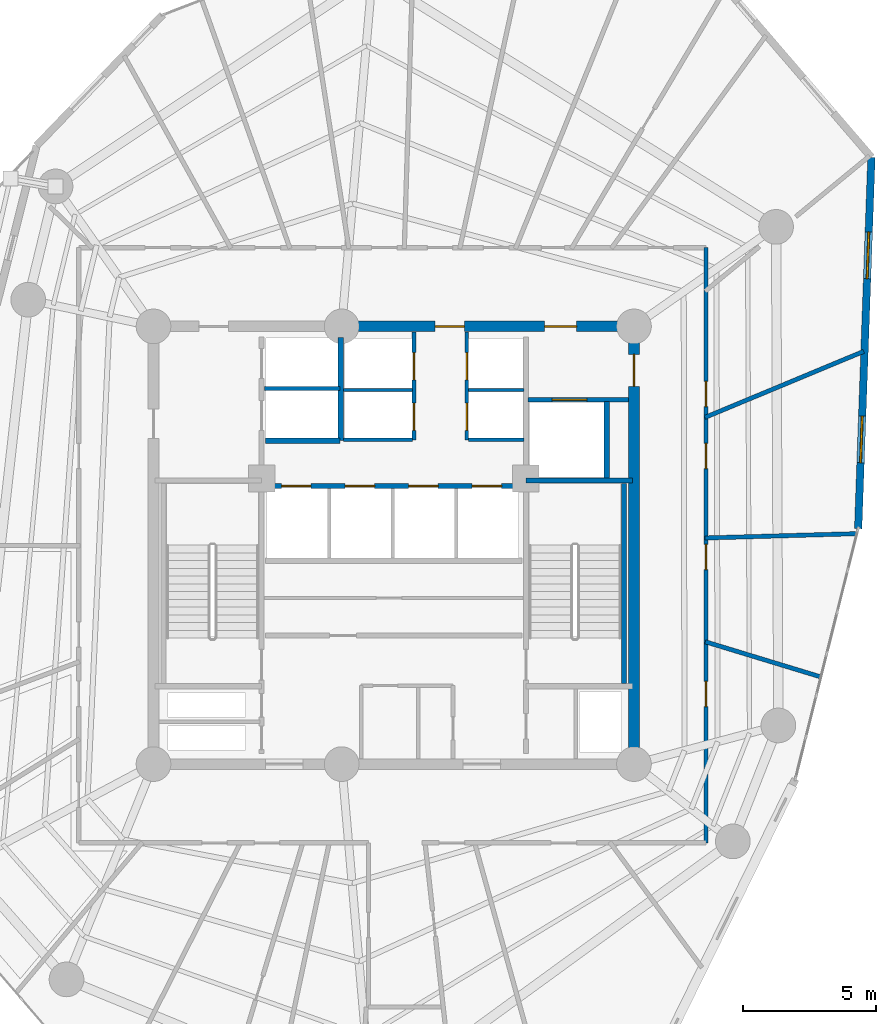
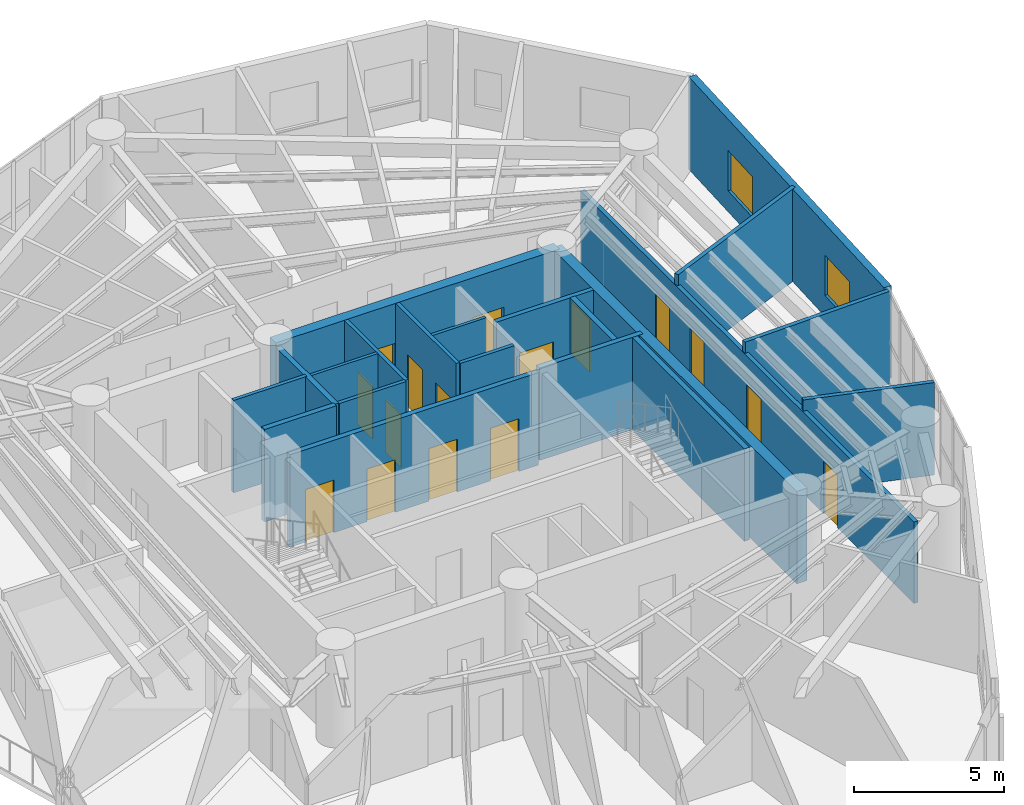
# One storey, part 9 of 14: 21 walls, 16 doors, 2 windows, 18 openings.
"""IFC4 building model written with IfcOpenShell, lengths in metres."""

from ifc_helpers import new_model, si_unit, direction, frame, frame_2d, origin, origin_with_axes, place, context, subcontext, project, spatial, rectangle, extrude, source, transform, mapped, material, layer, layer_set, type_object, element, fill, save


model = new_model("IFC4")

# Units and contexts
model_context = context("Model", 3, precision=1e-05, world=origin(), true_north=direction((0.0, 1.0)))
body_context = subcontext(model_context, "Body", "Model", "MODEL_VIEW")
ifc_project = project(units=[si_unit("LENGTHUNIT", "METRE"), si_unit("AREAUNIT", "SQUARE_METRE"), si_unit("VOLUMEUNIT", "CUBIC_METRE"), si_unit("PLANEANGLEUNIT", "RADIAN"), si_unit("MASSUNIT", "GRAM", prefix="KILO")], contexts=[model_context])

# Site, building, storey
site_placement = place(None, origin())
site = spatial("IfcSite", under=ifc_project, at=site_placement, CompositionType="ELEMENT")
building_placement = place(site_placement, origin())
building = spatial("IfcBuilding", under=site, at=building_placement, Name="Karkom Vertical University and Central Library", CompositionType="ELEMENT")
storey_placement = place(building_placement, frame((0.0, 0.0, 152.550048828125)))
storey = spatial("IfcBuildingStorey", under=building, at=storey_placement, Name="L43", CompositionType="ELEMENT", Elevation=152.550048828125)

# Wall, openings, windows
ifc_material_1 = material(Name="Brick-faced precast concrete C45/55", Category="masonry")
ifc_layer_1 = layer(ifc_material_1, 0.280029296875)
ifc_layer_set_1 = layer_set([ifc_layer_1], Name="Brick-faced precast concrete C45/55")
wall_type_1 = type_object("IfcWallType", Name="ENV-WL-BRK-280", PredefinedType="SOLIDWALL", material=ifc_layer_set_1)
wall_1_placement = place(storey_placement, frame((45.901611328125, 27.121826171875, 0.0), z_axis=(0.0, 0.0, 1.0), x_axis=(0.03566776227, 0.99936370293, 0.0)))
wall_1 = element("IfcWall", 1, at=wall_1_placement, inside=storey, type_object=wall_type_1, Name="Level 43 Brick-Faced Precast Facade Wall 07", PredefinedType="SOLIDWALL", context=body_context, shape_type="SweptSolid", body=[
    extrude(rectangle(XDim=13.92236328125, YDim=0.280029296875, at=frame_2d((6.961181640625, 0.0))), origin(), (0.0, 0.0, 1.0), 3.77490234375),
])
opening_1_placement = place(wall_1_placement, frame((2.469970703125, 0.0, 0.85009765625)))
opening_1 = element("IfcOpeningElement", 2, at=opening_1_placement, cuts=wall_1, Name="Opening WN-08", PredefinedType="OPENING", context=body_context, shape_type="SweptSolid", body=[
    extrude(rectangle(XDim=1.75, YDim=1.64990234375, at=frame_2d((0.875, 0.824951171875))), frame((0.0, 0.14990234375, 0.0), z_axis=(0.0, -1.0, 0.0), x_axis=(1.0, 0.0, 0.0)), (0.0, 0.0, 1.0), 0.300048828125),
])
opening_2_placement = place(wall_1_placement, frame((9.37109375, 0.0, 0.85009765625)))
opening_2 = element("IfcOpeningElement", 3, at=opening_2_placement, cuts=wall_1, Name="Opening WN-08", PredefinedType="OPENING", context=body_context, shape_type="SweptSolid", body=[
    extrude(rectangle(XDim=1.75, YDim=1.64990234375, at=frame_2d((0.875, 0.824951171875))), frame((0.0, 0.14990234375, 0.0), z_axis=(0.0, -1.0, 0.0), x_axis=(1.0, 0.0, 0.0)), (0.0, 0.0, 1.0), 0.300048828125),
])
ifc_material_2 = material(Name="Aluminium thermal-break frame with solar-control IGU", Category="aluminium")
window_type = type_object("IfcWindowType", Name="ENV-WIN-WN-08", PartitioningType="SINGLE_PANEL", PredefinedType="WINDOW", material=ifc_material_2)
shared_shape_1 = source(origin_with_axes(), body_context, "Body", "SweptSolid", [
    extrude(rectangle(XDim=1.75, YDim=1.64990234375, at=frame_2d((0.875, 0.824951171875))), frame((0.0, 0.030029296875, 0.0), z_axis=(0.0, -1.0, 0.0), x_axis=(1.0, 0.0, 0.0)), (0.0, 0.0, 1.0), 0.06005859375),
])
window_1_placement = place(opening_1_placement, origin())
window_1 = element("IfcWindow", 4, at=window_1_placement, inside=storey, type_object=window_type, Name="Level 43 Punched Window 7.1", OverallHeight=1.64990234375, OverallWidth=1.75, PartitioningType="SINGLE_PANEL", PredefinedType="WINDOW", context=body_context, shape_type="MappedRepresentation", body=[
    mapped(shared_shape_1, transform((0.0, 0.0, 0.0), scale=1.0)),
])
fill(opening_1, window_1)
window_2_placement = place(opening_2_placement, origin())
window_2 = element("IfcWindow", 5, at=window_2_placement, inside=storey, type_object=window_type, Name="Level 43 Punched Window 7.2", OverallHeight=1.64990234375, OverallWidth=1.75, PartitioningType="SINGLE_PANEL", PredefinedType="WINDOW", context=body_context, shape_type="MappedRepresentation", body=[
    mapped(shared_shape_1, transform((0.0, 0.0, 0.0), scale=1.0)),
])
fill(opening_2, window_2)

# Wall, openings, doors
ifc_material_3 = material(Name="Insulated metal-stud drywall 160mm", Category="gypsum")
ifc_layer_2 = layer(ifc_material_3, 0.159912109375)
ifc_layer_set_2 = layer_set([ifc_layer_2], Name="Insulated metal-stud drywall 160mm")
wall_type_2 = type_object("IfcWallType", Name="INT-WL-COR-160", PredefinedType="PARTITIONING", material=ifc_layer_set_2)
wall_2_placement = place(storey_placement, frame((40.199951171875, 37.64990234375, 0.0), z_axis=(0.0, 0.0, 1.0), x_axis=(0.0, -1.0, 0.0)))
wall_2 = element("IfcWall", 6, at=wall_2_placement, inside=storey, type_object=wall_type_2, Name="Level 43 Interior Partition Wall L43-CORW-CW-004", PredefinedType="PARTITIONING", context=body_context, shape_type="SweptSolid", body=[
    extrude(rectangle(XDim=22.2998046875, YDim=0.159912109375, at=frame_2d((11.14990234375, 0.0))), origin(), (0.0, 0.0, 1.0), 3.324951171875),
])
opening_3_placement = place(wall_2_placement, frame((16.25, 0.0, 0.0)))
opening_3 = element("IfcOpeningElement", 7, at=opening_3_placement, cuts=wall_2, Name="Opening D-RM1", PredefinedType="OPENING", context=body_context, shape_type="SweptSolid", body=[
    extrude(rectangle(XDim=0.949951171875, YDim=2.14990234375, at=frame_2d((0.47509765625, 1.074951171875))), frame((0.0, 0.08984375, 0.0), z_axis=(0.0, -1.0, 0.0), x_axis=(1.0, 0.0, 0.0)), (0.0, 0.0, 1.0), 0.179931640625),
])
opening_4_placement = place(wall_2_placement, frame((11.114990234375, 0.0, 0.0)))
opening_4 = element("IfcOpeningElement", 8, at=opening_4_placement, cuts=wall_2, Name="Opening D-RM1", PredefinedType="OPENING", context=body_context, shape_type="SweptSolid", body=[
    extrude(rectangle(XDim=0.949951171875, YDim=2.14990234375, at=frame_2d((0.47509765625, 1.074951171875))), frame((0.0, 0.08984375, 0.0), z_axis=(0.0, -1.0, 0.0), x_axis=(1.0, 0.0, 0.0)), (0.0, 0.0, 1.0), 0.179931640625),
])
opening_5_placement = place(wall_2_placement, frame((7.330078125, 0.0, 0.0)))
opening_5 = element("IfcOpeningElement", 9, at=opening_5_placement, cuts=wall_2, Name="Opening D-RM1", PredefinedType="OPENING", context=body_context, shape_type="SweptSolid", body=[
    extrude(rectangle(XDim=0.949951171875, YDim=2.14990234375, at=frame_2d((0.47509765625, 1.074951171875))), frame((0.0, 0.08984375, 0.0), z_axis=(0.0, -1.0, 0.0), x_axis=(1.0, 0.0, 0.0)), (0.0, 0.0, 1.0), 0.179931640625),
])
opening_6_placement = place(wall_2_placement, frame((5.010009765625, 0.0, 0.0)))
opening_6 = element("IfcOpeningElement", 10, at=opening_6_placement, cuts=wall_2, Name="Opening D-RM1", PredefinedType="OPENING", context=body_context, shape_type="SweptSolid", body=[
    extrude(rectangle(XDim=0.949951171875, YDim=2.14990234375, at=frame_2d((0.47509765625, 1.074951171875))), frame((0.0, 0.08984375, 0.0), z_axis=(0.0, -1.0, 0.0), x_axis=(1.0, 0.0, 0.0)), (0.0, 0.0, 1.0), 0.179931640625),
])
ifc_material_4 = material(Name="Solid-core oak veneer door", Category="wood")
door_type_1 = type_object("IfcDoorType", Name="INT-DR-RM1", OperationType="NOTDEFINED", PredefinedType="DOOR", material=ifc_material_4)
shared_shape_2 = source(origin_with_axes(), body_context, "Body", "SweptSolid", [
    extrude(rectangle(XDim=0.949951171875, YDim=2.14990234375, at=frame_2d((0.47509765625, 1.074951171875))), frame((0.0, 0.02490234375, 0.0), z_axis=(0.0, -1.0, 0.0), x_axis=(1.0, 0.0, 0.0)), (0.0, 0.0, 1.0), 0.050048828125),
])
door_1_placement = place(opening_3_placement, origin())
door_1 = element("IfcDoor", 11, at=door_1_placement, inside=storey, type_object=door_type_1, Name="Level 43 Room Entry Door 100", OperationType="SINGLE_SWING_LEFT", OverallHeight=2.14990234375, OverallWidth=0.949951171875, PredefinedType="DOOR", context=body_context, shape_type="MappedRepresentation", body=[
    mapped(shared_shape_2, transform((0.0, 0.0, 0.0), scale=1.0)),
])
fill(opening_3, door_1)
door_2_placement = place(opening_4_placement, origin())
door_2 = element("IfcDoor", 12, at=door_2_placement, inside=storey, type_object=door_type_1, Name="Level 43 Room Entry Door 110", OperationType="SINGLE_SWING_RIGHT", OverallHeight=2.14990234375, OverallWidth=0.949951171875, PredefinedType="DOOR", context=body_context, shape_type="MappedRepresentation", body=[
    mapped(shared_shape_2, transform((0.0, 0.0, 0.0), scale=1.0)),
])
fill(opening_4, door_2)
door_3_placement = place(opening_5_placement, origin())
door_3 = element("IfcDoor", 13, at=door_3_placement, inside=storey, type_object=door_type_1, Name="Level 43 Room Entry Door 120", OperationType="SINGLE_SWING_LEFT", OverallHeight=2.14990234375, OverallWidth=0.949951171875, PredefinedType="DOOR", context=body_context, shape_type="MappedRepresentation", body=[
    mapped(shared_shape_2, transform((0.0, 0.0, 0.0), scale=1.0)),
])
fill(opening_5, door_3)
door_4_placement = place(opening_6_placement, origin())
door_4 = element("IfcDoor", 14, at=door_4_placement, inside=storey, type_object=door_type_1, Name="Level 43 Room Entry Door 130", OperationType="SINGLE_SWING_RIGHT", OverallHeight=2.14990234375, OverallWidth=0.949951171875, PredefinedType="DOOR", context=body_context, shape_type="MappedRepresentation", body=[
    mapped(shared_shape_2, transform((0.0, 0.0, 0.0), scale=1.0)),
])
fill(opening_6, door_4)

# Walls
wall_3_placement = place(storey_placement, frame((40.158447265625, 31.287353515625, 0.0), z_axis=(0.0, 0.0, 1.0), x_axis=(0.923229295119, 0.384249487487, 0.0)))
element("IfcWall", 15, at=wall_3_placement, inside=storey, type_object=wall_type_2, Name="Level 43 Interior Partition Wall L43-PW-015", PredefinedType="PARTITIONING", context=body_context, shape_type="SweptSolid", body=[
    extrude(rectangle(XDim=6.44384765625, YDim=0.159912109375, at=frame_2d((3.221923828125, 0.0))), origin(), (0.0, 0.0, 1.0), 3.77490234375),
])
wall_4_placement = place(storey_placement, frame((40.155029296875, 26.771484375, 0.0), z_axis=(0.0, 0.0, 1.0), x_axis=(0.999594119788, 0.028488518482, 0.0)))
element("IfcWall", 16, at=wall_4_placement, inside=storey, type_object=wall_type_2, Name="Level 43 Interior Partition Wall L43-PW-014", PredefinedType="PARTITIONING", context=body_context, shape_type="SweptSolid", body=[
    extrude(rectangle(XDim=5.673095703125, YDim=0.159912109375, at=frame_2d((2.83642578125, 0.0))), origin(), (0.0, 0.0, 1.0), 3.77490234375),
])
wall_5_placement = place(storey_placement, frame((40.17138671875, 22.884765625, 0.0), z_axis=(0.0, 0.0, 1.0), x_axis=(0.956654200198, -0.291226271554, 0.0)))
element("IfcWall", 17, at=wall_5_placement, inside=storey, type_object=wall_type_2, Name="Level 43 Interior Partition Wall L43-PW-013", PredefinedType="PARTITIONING", context=body_context, shape_type="SweptSolid", body=[
    extrude(rectangle(XDim=4.507568359375, YDim=0.159912109375, at=frame_2d((2.25390625, 0.0))), origin(), (0.0, 0.0, 1.0), 3.77490234375),
])
ifc_material_5 = material(Name="Moisture-resistant drywall 120mm", Category="gypsum")
ifc_layer_3 = layer(ifc_material_5, 0.1201171875)
ifc_layer_set_3 = layer_set([ifc_layer_3], Name="Moisture-resistant drywall 120mm")
wall_type_3 = type_object("IfcWallType", Name="INT-WL-INT-120H", PredefinedType="PARTITIONING", material=ifc_layer_set_3)
wall_6_placement = place(storey_placement, frame((26.6201171875, 32.320068359375, 0.0), z_axis=(0.0, 0.0, 1.0), x_axis=(1.0, 0.0, 0.0)))
element("IfcWall", 18, at=wall_6_placement, inside=storey, type_object=wall_type_3, Name="Level 43 Interior Partition Wall L43-CW-PH-MW", PredefinedType="PARTITIONING", context=body_context, shape_type="SweptSolid", body=[
    extrude(rectangle(XDim=2.579833984375, YDim=0.1201171875, at=frame_2d((1.2900390625, 0.0))), origin(), (0.0, 0.0, 1.0), 3.77490234375),
])
wall_7_placement = place(storey_placement, frame((31.300048828125, 32.320068359375, 0.0), z_axis=(0.0, 0.0, 1.0), x_axis=(1.0, 0.0, 0.0)))
element("IfcWall", 19, at=wall_7_placement, inside=storey, type_object=wall_type_3, Name="Level 43 Interior Partition Wall L43-CW-PH-ME", PredefinedType="PARTITIONING", context=body_context, shape_type="SweptSolid", body=[
    extrude(rectangle(XDim=2.074951171875, YDim=0.1201171875, at=frame_2d((1.03759765625, 0.0))), origin(), (0.0, 0.0, 1.0), 3.77490234375),
])

# Wall, openings, doors
ifc_material_6 = material(Name="Metal-stud gypsum partition 140mm", Category="gypsum")
ifc_layer_4 = layer(ifc_material_6, 0.139892578125)
ifc_layer_set_4 = layer_set([ifc_layer_4], Name="Metal-stud gypsum partition 140mm")
wall_type_4 = type_object("IfcWallType", Name="INT-WL-SUB-140H", PredefinedType="PARTITIONING", material=ifc_layer_set_4)
wall_8_placement = place(storey_placement, frame((29.260009765625, 30.449951171875, 0.0), z_axis=(0.0, 0.0, 1.0), x_axis=(0.0, 1.0, 0.0)))
wall_8 = element("IfcWall", 20, at=wall_8_placement, inside=storey, type_object=wall_type_4, Name="Level 43 Interior Partition Wall L43-CW-PH-W", PredefinedType="PARTITIONING", context=body_context, shape_type="SweptSolid", body=[
    extrude(rectangle(XDim=4.04296875, YDim=0.139892578125, at=frame_2d((2.021484375, 0.0))), origin(), (0.0, 0.0, 1.0), 3.77490234375),
])
opening_7_placement = place(wall_8_placement, frame((0.35009765625, 0.0, 0.0)))
opening_7 = element("IfcOpeningElement", 21, at=opening_7_placement, cuts=wall_8, Name="Opening LD-PH", PredefinedType="OPENING", context=body_context, shape_type="SweptSolid", body=[
    extrude(rectangle(XDim=1.02001953125, YDim=2.14990234375, at=frame_2d((0.510009765625, 1.074951171875))), frame((0.0, 0.080078125, 0.0), z_axis=(0.0, -1.0, 0.0), x_axis=(1.0, 0.0, 0.0)), (0.0, 0.0, 1.0), 0.159912109375),
])
opening_8_placement = place(wall_8_placement, frame((2.25, 0.0, 0.0)))
opening_8 = element("IfcOpeningElement", 22, at=opening_8_placement, cuts=wall_8, Name="Opening LD-PH", PredefinedType="OPENING", context=body_context, shape_type="SweptSolid", body=[
    extrude(rectangle(XDim=1.02001953125, YDim=2.14990234375, at=frame_2d((0.510009765625, 1.074951171875))), frame((0.0, 0.080078125, 0.0), z_axis=(0.0, -1.0, 0.0), x_axis=(1.0, 0.0, 0.0)), (0.0, 0.0, 1.0), 0.159912109375),
])
ifc_material_7 = material(Name="Brushed stainless-steel landing door", Category="steel")
door_type_2 = type_object("IfcDoorType", Name="INT-DR-LD-PH", OperationType="SLIDING_TO_LEFT", PredefinedType="DOOR", material=ifc_material_7)
shared_shape_3 = source(origin_with_axes(), body_context, "Body", "SweptSolid", [
    extrude(rectangle(XDim=1.02001953125, YDim=2.14990234375, at=frame_2d((0.510009765625, 1.074951171875))), frame((0.0, 0.02490234375, 0.0), z_axis=(0.0, -1.0, 0.0), x_axis=(1.0, 0.0, 0.0)), (0.0, 0.0, 1.0), 0.050048828125),
])
door_5_placement = place(opening_7_placement, origin())
door_5 = element("IfcDoor", 23, at=door_5_placement, inside=storey, type_object=door_type_2, Name="Level 43 Lift PH-1 Landing Door", OperationType="SLIDING_TO_LEFT", OverallHeight=2.14990234375, OverallWidth=1.02001953125, PredefinedType="DOOR", context=body_context, shape_type="MappedRepresentation", body=[
    mapped(shared_shape_3, transform((0.0, 0.0, 0.0), scale=1.0)),
])
fill(opening_7, door_5)
door_6_placement = place(opening_8_placement, origin())
door_6 = element("IfcDoor", 24, at=door_6_placement, inside=storey, type_object=door_type_2, Name="Level 43 Lift PH-2 Landing Door", OperationType="SLIDING_TO_LEFT", OverallHeight=2.14990234375, OverallWidth=1.02001953125, PredefinedType="DOOR", context=body_context, shape_type="MappedRepresentation", body=[
    mapped(shared_shape_3, transform((0.0, 0.0, 0.0), scale=1.0)),
])
fill(opening_8, door_6)

wall_9_placement = place(storey_placement, frame((31.239990234375, 30.449951171875, 0.0), z_axis=(0.0, 0.0, 1.0), x_axis=(0.0, 1.0, 0.0)))
wall_9 = element("IfcWall", 25, at=wall_9_placement, inside=storey, type_object=wall_type_4, Name="Level 43 Interior Partition Wall L43-CW-PH-E", PredefinedType="PARTITIONING", context=body_context, shape_type="SweptSolid", body=[
    extrude(rectangle(XDim=4.04296875, YDim=0.139892578125, at=frame_2d((2.021484375, 0.0))), origin(), (0.0, 0.0, 1.0), 3.77490234375),
])
opening_9_placement = place(wall_9_placement, frame((0.35009765625, 0.0, 0.0)))
opening_9 = element("IfcOpeningElement", 26, at=opening_9_placement, cuts=wall_9, Name="Opening LD-PH", PredefinedType="OPENING", context=body_context, shape_type="SweptSolid", body=[
    extrude(rectangle(XDim=1.02001953125, YDim=2.14990234375, at=frame_2d((0.510009765625, 1.074951171875))), frame((0.0, 0.080078125, 0.0), z_axis=(0.0, -1.0, 0.0), x_axis=(1.0, 0.0, 0.0)), (0.0, 0.0, 1.0), 0.159912109375),
])
opening_10_placement = place(wall_9_placement, frame((2.25, 0.0, 0.0)))
opening_10 = element("IfcOpeningElement", 27, at=opening_10_placement, cuts=wall_9, Name="Opening LD-PH", PredefinedType="OPENING", context=body_context, shape_type="SweptSolid", body=[
    extrude(rectangle(XDim=1.02001953125, YDim=2.14990234375, at=frame_2d((0.510009765625, 1.074951171875))), frame((0.0, 0.080078125, 0.0), z_axis=(0.0, -1.0, 0.0), x_axis=(1.0, 0.0, 0.0)), (0.0, 0.0, 1.0), 0.159912109375),
])
door_7_placement = place(opening_9_placement, origin())
door_7 = element("IfcDoor", 28, at=door_7_placement, inside=storey, type_object=door_type_2, Name="Level 43 Lift PH-3 Landing Door", OperationType="SLIDING_TO_LEFT", OverallHeight=2.14990234375, OverallWidth=1.02001953125, PredefinedType="DOOR", context=body_context, shape_type="MappedRepresentation", body=[
    mapped(shared_shape_3, transform((0.0, 0.0, 0.0), scale=1.0)),
])
fill(opening_9, door_7)
door_8_placement = place(opening_10_placement, origin())
door_8 = element("IfcDoor", 29, at=door_8_placement, inside=storey, type_object=door_type_2, Name="Level 43 Lift PH-4 Landing Door", OperationType="SLIDING_TO_LEFT", OverallHeight=2.14990234375, OverallWidth=1.02001953125, PredefinedType="DOOR", context=body_context, shape_type="MappedRepresentation", body=[
    mapped(shared_shape_3, transform((0.0, 0.0, 0.0), scale=1.0)),
])
fill(opening_10, door_8)

# Walls
wall_10_placement = place(storey_placement, frame((26.6201171875, 30.449951171875, 0.0), z_axis=(0.0, 0.0, 1.0), x_axis=(1.0, 0.0, 0.0)))
element("IfcWall", 30, at=wall_10_placement, inside=storey, type_object=wall_type_4, Name="Level 43 Interior Partition Wall L43-CW-PH-S1", PredefinedType="PARTITIONING", context=body_context, shape_type="SweptSolid", body=[
    extrude(rectangle(XDim=2.579833984375, YDim=0.139892578125, at=frame_2d((1.2900390625, 0.0))), origin(), (0.0, 0.0, 1.0), 3.77490234375),
])
wall_11_placement = place(storey_placement, frame((31.300048828125, 30.449951171875, 0.0), z_axis=(0.0, 0.0, 1.0), x_axis=(1.0, 0.0, 0.0)))
element("IfcWall", 31, at=wall_11_placement, inside=storey, type_object=wall_type_4, Name="Level 43 Interior Partition Wall L43-CW-PH-S2", PredefinedType="PARTITIONING", context=body_context, shape_type="SweptSolid", body=[
    extrude(rectangle(XDim=2.074951171875, YDim=0.139892578125, at=frame_2d((1.03759765625, 0.0))), origin(), (0.0, 0.0, 1.0), 3.77490234375),
])
ifc_layer_5 = layer(ifc_material_6, 0.139892578125)
ifc_layer_set_5 = layer_set([ifc_layer_5], Name="Metal-stud gypsum partition 140mm")
wall_type_5 = type_object("IfcWallType", Name="INT-WL-SUB-140X", PredefinedType="PARTITIONING", material=ifc_layer_set_5)
wall_12_placement = place(storey_placement, frame((23.652099609375, 32.3701171875, 0.0), z_axis=(0.0, 0.0, 1.0), x_axis=(1.0, 0.0, 0.0)))
element("IfcWall", 32, at=wall_12_placement, inside=storey, type_object=wall_type_5, Name="Level 43 Interior Partition Wall L43-CW-FFL-M", PredefinedType="PARTITIONING", context=body_context, shape_type="SweptSolid", body=[
    extrude(rectangle(XDim=2.827880859375, YDim=0.139892578125, at=frame_2d((1.4140625, 0.0))), origin(), (0.0, 0.0, 1.0), 3.77490234375),
])

# Wall, opening, door
ifc_material_8 = material(Name="Twin-stud acoustic drywall 180mm", Category="gypsum")
ifc_layer_6 = layer(ifc_material_8, 0.179931640625)
ifc_layer_set_6 = layer_set([ifc_layer_6], Name="Twin-stud acoustic drywall 180mm")
wall_type_6 = type_object("IfcWallType", Name="INT-WL-TEN-180F", PredefinedType="PARTITIONING", material=ifc_layer_set_6)
wall_13_placement = place(storey_placement, frame((33.534912109375, 31.949951171875, 0.0), z_axis=(0.0, 0.0, 1.0), x_axis=(1.0, 0.0, 0.0)))
wall_13 = element("IfcWall", 33, at=wall_13_placement, inside=storey, type_object=wall_type_6, Name="Level 43 Interior Partition Wall L43-CW-SVL-N", PredefinedType="PARTITIONING", context=body_context, shape_type="SweptSolid", body=[
    extrude(rectangle(XDim=3.7587890625, YDim=0.179931640625, at=frame_2d((1.87939453125, 0.0))), origin(), (0.0, 0.0, 1.0), 3.77490234375),
])
opening_11_placement = place(wall_13_placement, frame((0.89990234375, 0.0, 0.0)))
opening_11 = element("IfcOpeningElement", 34, at=opening_11_placement, cuts=wall_13, Name="Opening LD-SV1", PredefinedType="OPENING", context=body_context, shape_type="SweptSolid", body=[
    extrude(rectangle(XDim=1.300048828125, YDim=2.199951171875, at=frame_2d((0.64990234375, 1.10009765625))), frame((0.0, 0.10009765625, 0.0), z_axis=(0.0, -1.0, 0.0), x_axis=(1.0, 0.0, 0.0)), (0.0, 0.0, 1.0), 0.199951171875),
])
door_type_3 = type_object("IfcDoorType", Name="INT-DR-LD-SV1", OperationType="SLIDING_TO_LEFT", PredefinedType="DOOR", material=ifc_material_7)
shared_shape_4 = source(origin_with_axes(), body_context, "Body", "SweptSolid", [
    extrude(rectangle(XDim=1.300048828125, YDim=2.199951171875, at=frame_2d((0.64990234375, 1.10009765625))), frame((0.0, 0.02490234375, 0.0), z_axis=(0.0, -1.0, 0.0), x_axis=(1.0, 0.0, 0.0)), (0.0, 0.0, 1.0), 0.050048828125),
])
door_9_placement = place(opening_11_placement, origin())
door_9 = element("IfcDoor", 35, at=door_9_placement, inside=storey, type_object=door_type_3, Name="Level 43 Service Lift Landing Door LD-SV1", OperationType="SLIDING_TO_LEFT", OverallHeight=2.199951171875, OverallWidth=1.300048828125, PredefinedType="DOOR", context=body_context, shape_type="MappedRepresentation", body=[
    mapped(shared_shape_4, transform((0.0, 0.0, 0.0), scale=1.0)),
])
fill(opening_11, door_9)

ifc_material_9 = material(Name="Concrete C50/60", Category="concrete")
ifc_layer_7 = layer(ifc_material_9, 0.39990234375)
ifc_layer_set_7 = layer_set([ifc_layer_7], Name="Concrete C50/60")
wall_type_7 = type_object("IfcWallType", Name="STR-WL-CW-400", PredefinedType="SHEAR", material=ifc_layer_set_7)
wall_14_placement = place(storey_placement, frame((37.5, 18.300048828125, 0.0), z_axis=(0.0, 0.0, 1.0), x_axis=(0.0, 1.0, 0.0)))
wall_14 = element("IfcWall", 36, at=wall_14_placement, inside=storey, type_object=wall_type_7, Name="Level 43 Central Core Shear Wall EW", PredefinedType="SHEAR", context=body_context, shape_type="SweptSolid", body=[
    extrude(rectangle(XDim=16.39990234375, YDim=0.39990234375, at=frame_2d((8.199951171875, 0.0))), origin(), (0.0, 0.0, 1.0), 3.77490234375),
])
opening_12_placement = place(wall_14_placement, frame((14.14990234375, 0.0, 0.0)))
opening_12 = element("IfcOpeningElement", 37, at=opening_12_placement, cuts=wall_14, Name="Opening FD-SUB1", PredefinedType="OPENING", context=body_context, shape_type="SweptSolid", body=[
    extrude(rectangle(XDim=1.199951171875, YDim=2.14990234375, at=frame_2d((0.60009765625, 1.074951171875))), frame((0.0, 0.2099609375, 0.0), z_axis=(0.0, -1.0, 0.0), x_axis=(1.0, 0.0, 0.0)), (0.0, 0.0, 1.0), 0.419921875),
])
ifc_material_10 = material(Name="Painted steel fire door", Category="steel")
door_type_4 = type_object("IfcDoorType", Name="INT-DR-SUB1", OperationType="NOTDEFINED", PredefinedType="DOOR", material=ifc_material_10)
shared_shape_5 = source(origin_with_axes(), body_context, "Body", "SweptSolid", [
    extrude(rectangle(XDim=1.199951171875, YDim=2.14990234375, at=frame_2d((0.60009765625, 1.074951171875))), frame((0.0, 0.02490234375, 0.0), z_axis=(0.0, -1.0, 0.0), x_axis=(1.0, 0.0, 0.0)), (0.0, 0.0, 1.0), 0.050048828125),
])
door_10_placement = place(opening_12_placement, origin())
door_10 = element("IfcDoor", 38, at=door_10_placement, inside=storey, type_object=door_type_4, Name="Level 43 East Corridor Service Lobby Door", OperationType="SINGLE_SWING_RIGHT", OverallHeight=2.14990234375, OverallWidth=1.199951171875, PredefinedType="DOOR", context=body_context, shape_type="MappedRepresentation", body=[
    mapped(shared_shape_5, transform((0.0, 0.0, 0.0), scale=1.0)),
])
fill(opening_12, door_10)

# Wall, openings, doors
wall_15_placement = place(storey_placement, frame((37.5, 34.699951171875, 0.0), z_axis=(0.0, 0.0, 1.0), x_axis=(-1.0, 0.0, 0.0)))
wall_15 = element("IfcWall", 39, at=wall_15_placement, inside=storey, type_object=wall_type_7, Name="Level 43 Central Core Shear Wall NW1", PredefinedType="SHEAR", context=body_context, shape_type="SweptSolid", body=[
    extrude(rectangle(XDim=10.949951171875, YDim=0.39990234375, at=frame_2d((5.47509765625, 0.0))), origin(), (0.0, 0.0, 1.0), 3.77490234375),
])
opening_13_placement = place(wall_15_placement, frame((2.14990234375, 0.0, 0.0)))
opening_13 = element("IfcOpeningElement", 40, at=opening_13_placement, cuts=wall_15, Name="Opening FD-SUB1", PredefinedType="OPENING", context=body_context, shape_type="SweptSolid", body=[
    extrude(rectangle(XDim=1.199951171875, YDim=2.14990234375, at=frame_2d((0.60009765625, 1.074951171875))), frame((0.0, 0.2099609375, 0.0), z_axis=(0.0, -1.0, 0.0), x_axis=(1.0, 0.0, 0.0)), (0.0, 0.0, 1.0), 0.419921875),
])
opening_14_placement = place(wall_15_placement, frame((6.35009765625, 0.0, 0.0)))
opening_14 = element("IfcOpeningElement", 41, at=opening_14_placement, cuts=wall_15, Name="Opening FD-FFL", PredefinedType="OPENING", context=body_context, shape_type="SweptSolid", body=[
    extrude(rectangle(XDim=1.10009765625, YDim=2.14990234375, at=frame_2d((0.550048828125, 1.074951171875))), frame((0.0, 0.2099609375, 0.0), z_axis=(0.0, -1.0, 0.0), x_axis=(1.0, 0.0, 0.0)), (0.0, 0.0, 1.0), 0.419921875),
])
ifc_material_11 = material(Name="Painted steel smoke-seal fire door", Category="steel")
door_type_5 = type_object("IfcDoorType", Name="INT-DR-FFL", OperationType="NOTDEFINED", PredefinedType="DOOR", material=ifc_material_11)
shared_shape_6 = source(origin_with_axes(), body_context, "Body", "SweptSolid", [
    extrude(rectangle(XDim=1.10009765625, YDim=2.14990234375, at=frame_2d((0.550048828125, 1.074951171875))), frame((0.0, 0.02490234375, 0.0), z_axis=(0.0, -1.0, 0.0), x_axis=(1.0, 0.0, 0.0)), (0.0, 0.0, 1.0), 0.050048828125),
])
door_11_placement = place(opening_14_placement, origin())
door_11 = element("IfcDoor", 42, at=door_11_placement, inside=storey, type_object=door_type_5, Name="Level 43 North Core Lobby Exit Door", OperationType="SINGLE_SWING_LEFT", OverallHeight=2.14990234375, OverallWidth=1.10009765625, PredefinedType="DOOR", context=body_context, shape_type="MappedRepresentation", body=[
    mapped(shared_shape_6, transform((0.0, 0.0, 0.0), scale=1.0)),
])
fill(opening_14, door_11)
door_12_placement = place(opening_13_placement, origin())
door_12 = element("IfcDoor", 43, at=door_12_placement, inside=storey, type_object=door_type_4, Name="Level 43 Service Lobby Fire Door", OperationType="SINGLE_SWING_LEFT", OverallHeight=2.14990234375, OverallWidth=1.199951171875, PredefinedType="DOOR", context=body_context, shape_type="MappedRepresentation", body=[
    mapped(shared_shape_5, transform((0.0, 0.0, 0.0), scale=1.0)),
])
fill(opening_13, door_12)

ifc_material_12 = material(Name="Concrete C45/55", Category="concrete")
ifc_layer_8 = layer(ifc_material_12, 0.199951171875)
ifc_layer_set_8 = layer_set([ifc_layer_8], Name="Concrete C45/55")
wall_type_8 = type_object("IfcWallType", Name="STR-WL-ST-200", PredefinedType="SHEAR", material=ifc_layer_set_8)
wall_16_placement = place(storey_placement, frame((23.699951171875, 28.719970703125, 0.0), z_axis=(0.0, 0.0, 1.0), x_axis=(1.0, 0.0, 0.0)))
wall_16 = element("IfcWall", 44, at=wall_16_placement, inside=storey, type_object=wall_type_8, Name="Level 43 Core Shaft Wall L43-CW-B2-N", PredefinedType="SHEAR", context=body_context, shape_type="SweptSolid", body=[
    extrude(rectangle(XDim=9.60009765625, YDim=0.199951171875, at=frame_2d((4.800048828125, 0.0))), origin(), (0.0, 0.0, 1.0), 3.77490234375),
])
opening_15_placement = place(wall_16_placement, frame((0.60009765625, 0.0, 0.0)))
opening_15 = element("IfcOpeningElement", 45, at=opening_15_placement, cuts=wall_16, Name="Opening LD-PAX", PredefinedType="OPENING", context=body_context, shape_type="SweptSolid", body=[
    extrude(rectangle(XDim=1.10009765625, YDim=2.14990234375, at=frame_2d((0.550048828125, 1.074951171875))), frame((0.0, 0.10986328125, 0.0), z_axis=(0.0, -1.0, 0.0), x_axis=(1.0, 0.0, 0.0)), (0.0, 0.0, 1.0), 0.219970703125),
])
opening_16_placement = place(wall_16_placement, frame((2.97998046875, 0.0, 0.0)))
opening_16 = element("IfcOpeningElement", 46, at=opening_16_placement, cuts=wall_16, Name="Opening LD-PAX", PredefinedType="OPENING", context=body_context, shape_type="SweptSolid", body=[
    extrude(rectangle(XDim=1.10009765625, YDim=2.14990234375, at=frame_2d((0.550048828125, 1.074951171875))), frame((0.0, 0.10986328125, 0.0), z_axis=(0.0, -1.0, 0.0), x_axis=(1.0, 0.0, 0.0)), (0.0, 0.0, 1.0), 0.219970703125),
])
opening_17_placement = place(wall_16_placement, frame((5.360107421875, 0.0, 0.0)))
opening_17 = element("IfcOpeningElement", 47, at=opening_17_placement, cuts=wall_16, Name="Opening LD-PAX", PredefinedType="OPENING", context=body_context, shape_type="SweptSolid", body=[
    extrude(rectangle(XDim=1.10009765625, YDim=2.14990234375, at=frame_2d((0.550048828125, 1.074951171875))), frame((0.0, 0.10986328125, 0.0), z_axis=(0.0, -1.0, 0.0), x_axis=(1.0, 0.0, 0.0)), (0.0, 0.0, 1.0), 0.219970703125),
])
opening_18_placement = place(wall_16_placement, frame((7.739990234375, 0.0, 0.0)))
opening_18 = element("IfcOpeningElement", 48, at=opening_18_placement, cuts=wall_16, Name="Opening LD-PAX", PredefinedType="OPENING", context=body_context, shape_type="SweptSolid", body=[
    extrude(rectangle(XDim=1.10009765625, YDim=2.14990234375, at=frame_2d((0.550048828125, 1.074951171875))), frame((0.0, 0.10986328125, 0.0), z_axis=(0.0, -1.0, 0.0), x_axis=(1.0, 0.0, 0.0)), (0.0, 0.0, 1.0), 0.219970703125),
])
door_type_6 = type_object("IfcDoorType", Name="INT-DR-LD-PAX", OperationType="SLIDING_TO_LEFT", PredefinedType="DOOR", material=ifc_material_7)
door_13_placement = place(opening_15_placement, origin())
door_13 = element("IfcDoor", 49, at=door_13_placement, inside=storey, type_object=door_type_6, Name="Level 43 Lift PM-1 Landing Door", OperationType="SLIDING_TO_LEFT", OverallHeight=2.14990234375, OverallWidth=1.10009765625, PredefinedType="DOOR", context=body_context, shape_type="MappedRepresentation", body=[
    mapped(shared_shape_6, transform((0.0, 0.0, 0.0), scale=1.0)),
])
fill(opening_15, door_13)
door_14_placement = place(opening_16_placement, origin())
door_14 = element("IfcDoor", 50, at=door_14_placement, inside=storey, type_object=door_type_6, Name="Level 43 Lift PM-2 Landing Door", OperationType="SLIDING_TO_RIGHT", OverallHeight=2.14990234375, OverallWidth=1.10009765625, PredefinedType="DOOR", context=body_context, shape_type="MappedRepresentation", body=[
    mapped(shared_shape_6, transform((0.0, 0.0, 0.0), scale=1.0)),
])
fill(opening_16, door_14)
door_15_placement = place(opening_17_placement, origin())
door_15 = element("IfcDoor", 51, at=door_15_placement, inside=storey, type_object=door_type_6, Name="Level 43 Lift PM-3 Landing Door", OperationType="SLIDING_TO_LEFT", OverallHeight=2.14990234375, OverallWidth=1.10009765625, PredefinedType="DOOR", context=body_context, shape_type="MappedRepresentation", body=[
    mapped(shared_shape_6, transform((0.0, 0.0, 0.0), scale=1.0)),
])
fill(opening_17, door_15)
door_16_placement = place(opening_18_placement, origin())
door_16 = element("IfcDoor", 52, at=door_16_placement, inside=storey, type_object=door_type_6, Name="Level 43 Lift PM-4 Landing Door", OperationType="SLIDING_TO_RIGHT", OverallHeight=2.14990234375, OverallWidth=1.10009765625, PredefinedType="DOOR", context=body_context, shape_type="MappedRepresentation", body=[
    mapped(shared_shape_6, transform((0.0, 0.0, 0.0), scale=1.0)),
])
fill(opening_18, door_16)

# Walls
wall_17_placement = place(storey_placement, frame((37.125, 21.320068359375, 0.0), z_axis=(0.0, 0.0, 1.0), x_axis=(0.0, 1.0, 0.0)))
element("IfcWall", 53, at=wall_17_placement, inside=storey, type_object=wall_type_8, Name="Level 43 Core Shaft Wall L43-CW-ST2-E", PredefinedType="SHEAR", context=body_context, shape_type="SweptSolid", body=[
    extrude(rectangle(XDim=7.5, YDim=0.199951171875, at=frame_2d((3.75, 0.0))), origin(), (0.0, 0.0, 1.0), 3.77490234375),
])
wall_18_placement = place(storey_placement, frame((33.455078125, 28.925048828125, 0.0), z_axis=(0.0, 0.0, 1.0), x_axis=(1.0, 0.0, 0.0)))
element("IfcWall", 54, at=wall_18_placement, inside=storey, type_object=wall_type_8, Name="Level 43 Core Shaft Wall L43-CW-ST2-N", PredefinedType="SHEAR", context=body_context, shape_type="SweptSolid", body=[
    extrude(rectangle(XDim=3.994873046875, YDim=0.199951171875, at=frame_2d((1.99755859375, 0.0))), origin(), (0.0, 0.0, 1.0), 3.77490234375),
])
wall_19_placement = place(storey_placement, frame((26.52001953125, 30.419921875, 0.0), z_axis=(0.0, 0.0, 1.0), x_axis=(0.0, 1.0, 0.0)))
element("IfcWall", 55, at=wall_19_placement, inside=storey, type_object=wall_type_8, Name="Level 43 Core Shaft Wall L43-CW-FFL-E", PredefinedType="SHEAR", context=body_context, shape_type="SweptSolid", body=[
    extrude(rectangle(XDim=3.860107421875, YDim=0.199951171875, at=frame_2d((1.93017578125, 0.0))), origin(), (0.0, 0.0, 1.0), 3.77490234375),
])
wall_20_placement = place(storey_placement, frame((36.47998046875, 29.02001953125, 0.0), z_axis=(0.0, 0.0, 1.0), x_axis=(0.0, 1.0, 0.0)))
element("IfcWall", 56, at=wall_20_placement, inside=storey, type_object=wall_type_8, Name="Level 43 Core Shaft Wall L43-CW-SVL-E", PredefinedType="SHEAR", context=body_context, shape_type="SweptSolid", body=[
    extrude(rectangle(XDim=2.85986328125, YDim=0.199951171875, at=frame_2d((1.429931640625, 0.0))), origin(), (0.0, 0.0, 1.0), 3.77490234375),
])
wall_21_placement = place(storey_placement, frame((23.699951171875, 30.419921875, 0.0), z_axis=(0.0, 0.0, 1.0), x_axis=(1.0, 0.0, 0.0)))
element("IfcWall", 57, at=wall_21_placement, inside=storey, type_object=wall_type_8, Name="Level 43 Core Shaft Wall L43-CW-FFL-S", PredefinedType="SHEAR", context=body_context, shape_type="SweptSolid", body=[
    extrude(rectangle(XDim=2.780029296875, YDim=0.199951171875, at=frame_2d((1.39013671875, 0.0))), origin(), (0.0, 0.0, 1.0), 3.77490234375),
])

save(model, "model.ifc")
